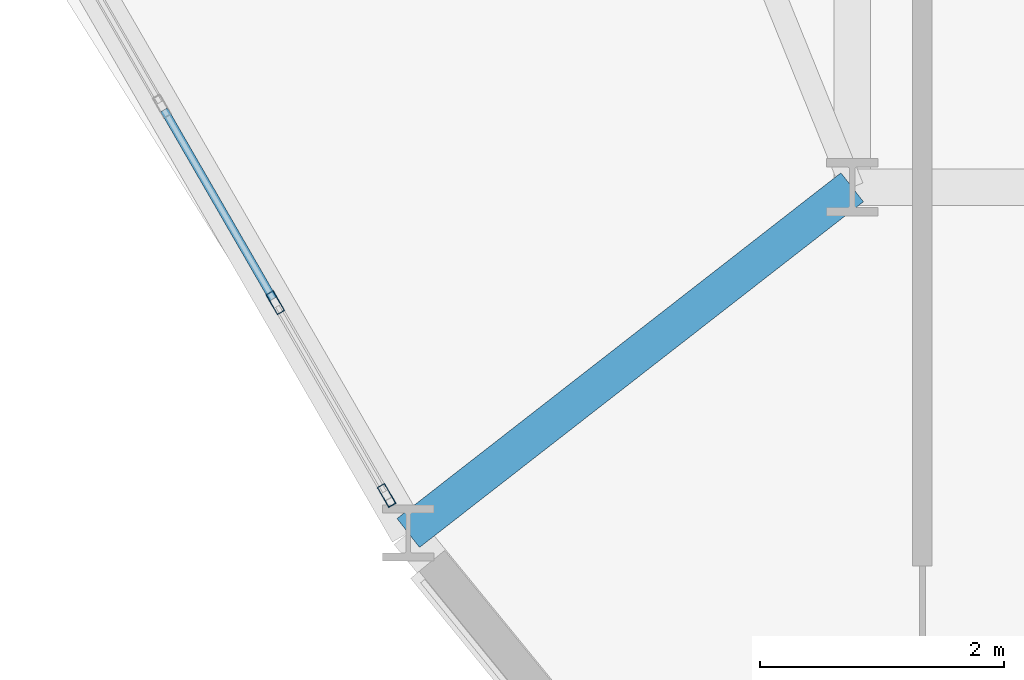
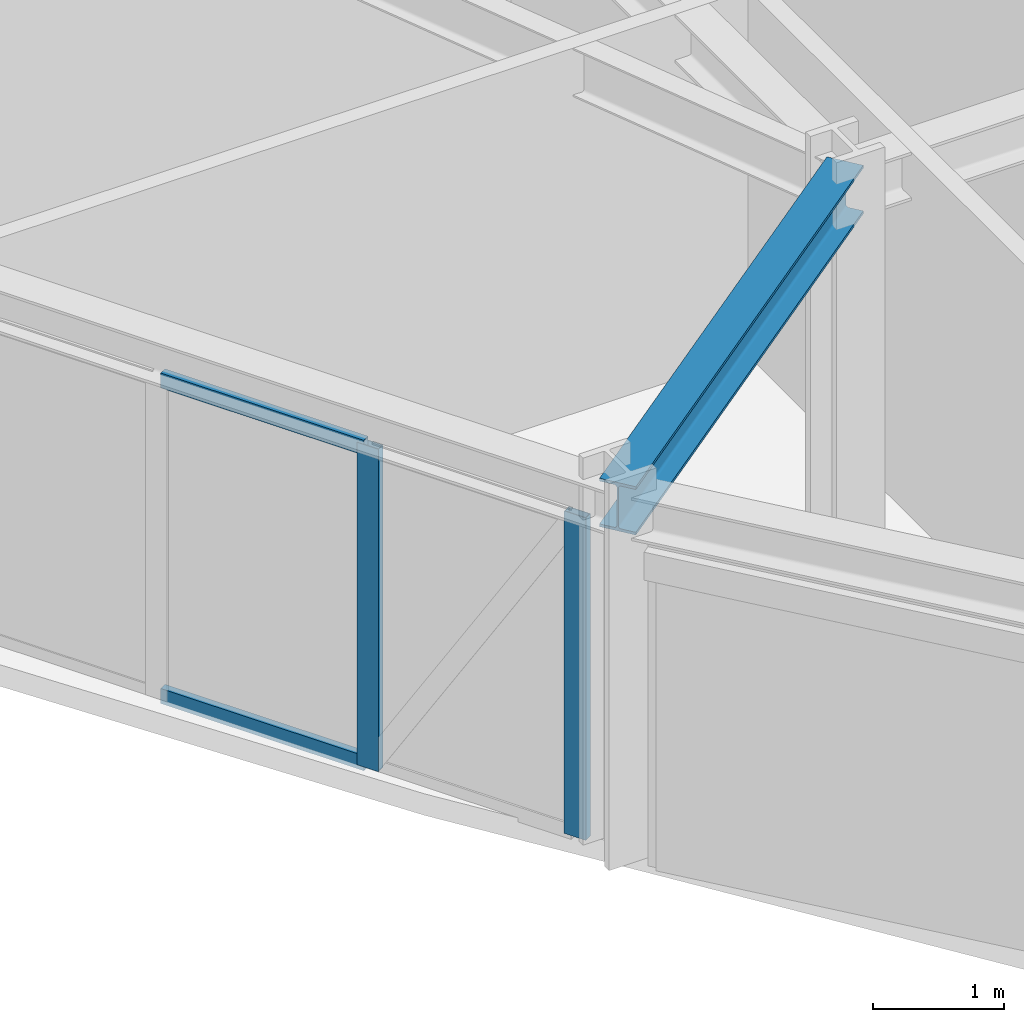
# One storey, part 2 of 17: 4 members, 1 beam, 1 element without a shape of its own.
"""IFC4 building model written with IfcOpenShell, lengths in metres."""

from ifc_helpers import new_model, si_unit, derived_unit, direction, frame, origin, origin_2d, place, context, subcontext, project, spatial, hollow_rectangle, i_section, extrude, source, transform, mapped, material, layer, layer_set, material_profile, profile_set, type_object, element, aggregate, save


model = new_model("IFC4")

# Units and contexts
model_context = context("Model", 3, precision=1e-05, world=origin(), true_north=direction((0.0, 1.0)))
body_context = subcontext(model_context, "Body", "Model", "MODEL_VIEW")
ifc_project = project(units=[si_unit("LENGTHUNIT", "METRE"), si_unit("AREAUNIT", "SQUARE_METRE"), si_unit("VOLUMEUNIT", "CUBIC_METRE"), si_unit("PLANEANGLEUNIT", "RADIAN"), si_unit("MASSUNIT", "GRAM", prefix="KILO"), derived_unit("THERMALTRANSMITTANCEUNIT", [(si_unit("POWERUNIT", "WATT"), 1), (si_unit("LENGTHUNIT", "METRE"), -2), (si_unit("THERMODYNAMICTEMPERATUREUNIT", "KELVIN"), -1)])], contexts=[model_context])

# Site, building, storey
site_placement = place(None, origin())
site = spatial("IfcSite", under=ifc_project, at=site_placement, CompositionType="ELEMENT")
building_placement = place(site_placement, origin())
building = spatial("IfcBuilding", under=site, at=building_placement, Name="Korsvarv Bourse and Concert Hall", CompositionType="ELEMENT")
storey_placement = place(building_placement, frame((0.0, 0.0, 124.199951171875)))
storey = spatial("IfcBuildingStorey", under=building, at=storey_placement, Name="L31", CompositionType="ELEMENT", Elevation=124.199951171875)

# Beam
ifc_material_1 = material(Name="Steel S355", Category="steel")
ifc_material_profile_1 = material_profile(ifc_material_1, i_section(OverallWidth=0.300048828125, OverallDepth=0.449951171875, WebThickness=0.013916015625, FlangeThickness=0.02587890625, FilletRadius=0.02099609375, at=origin_2d()), Name="HEB 450")
ifc_profile_set_1 = profile_set([ifc_material_profile_1], Name="Steel S355")
beam_type = type_object("IfcBeamType", Name="BM-HEB450", PredefinedType="SPANDREL", material=ifc_profile_set_1)
shared_shape_1 = source(origin(), body_context, "Body", "SweptSolid", [
    extrude(i_section(OverallWidth=0.300048828125, OverallDepth=0.449951171875, WebThickness=0.013916015625, FlangeThickness=0.02587890625, FilletRadius=0.02099609375, at=origin_2d()), origin(), (0.0, 0.0, 1.0), 4.610595703125),
])
beam_placement = place(storey_placement, frame((23.96240234375, 21.167236328125, 3.175048828125), z_axis=(0.788989967488, 0.614406080051, 0.0), x_axis=(-0.614406080051, 0.788989967488, 0.0)))
element("IfcBeam", 1, at=beam_placement, inside=storey, type_object=beam_type, Name="L31 beam B-08", PredefinedType="SPANDREL", context=body_context, shape_type="MappedRepresentation", body=[
    mapped(shared_shape_1, transform((0.0, 0.0, 0.0), scale=1.0)),
])

# Curtain wall, members
ifc_material_2 = material(Name="Anodised aluminium and triple low-E glazing", Category="glass")
ifc_layer = layer(ifc_material_2, 0.2099609375)
ifc_layer_set = layer_set([ifc_layer], Name="Anodised aluminium and triple low-E glazing")
curtain_wall_type = type_object("IfcCurtainWallType", Name="CW-SYS-2", PredefinedType="NOTDEFINED", material=ifc_layer_set)
curtain_wall_placement = place(storey_placement, origin())
curtain_wall = element("IfcCurtainWall", 2, at=curtain_wall_placement, inside=storey, type_object=curtain_wall_type, Name="L31 CW2 curtain wall CW-L31-F07", PredefinedType="NOTDEFINED")
ifc_material_3 = material(Name="Extruded aluminium EN AW-6063 T66", Category="aluminium")
ifc_material_profile_2 = material_profile(ifc_material_3, hollow_rectangle(XDim=0.070068359375, YDim=0.18994140625, WallThickness=0.0048828125, at=origin_2d()), Name="ALU-M 70x190")
ifc_profile_set_2 = profile_set([ifc_material_profile_2], Name="Extruded aluminium EN AW-6063 T66")
member_type_1 = type_object("IfcMemberType", Name="CWM-190", PredefinedType="MULLION", material=ifc_profile_set_2)
shared_shape_2 = source(origin(), body_context, "Body", "SweptSolid", [
    extrude(hollow_rectangle(XDim=0.070068359375, YDim=0.18994140625, WallThickness=0.0048828125, at=origin_2d()), origin(), (0.0, 0.0, 1.0), 3.0),
])
member_1_placement = place(storey_placement, frame((22.872802734375, 23.0546875, 0.0), z_axis=(0.0, 0.0, 1.0), x_axis=(0.866021265954, 0.500007166863, 0.0)))
member_1 = element("IfcMember", 3, at=member_1_placement, type_object=member_type_1, Name="CW2 mullion 7", PredefinedType="MULLION", context=body_context, shape_type="MappedRepresentation", body=[
    mapped(shared_shape_2, transform((0.0, 0.0, 0.0), scale=1.0)),
])
member_2_placement = place(storey_placement, frame((23.784912109375, 21.47509765625, 0.0), z_axis=(0.0, 0.0, 1.0), x_axis=(0.866021265954, 0.500007166863, 0.0)))
member_2 = element("IfcMember", 4, at=member_2_placement, type_object=member_type_1, Name="CW2 mullion 8", PredefinedType="MULLION", context=body_context, shape_type="MappedRepresentation", body=[
    mapped(shared_shape_2, transform((0.0, 0.0, 0.0), scale=1.0)),
])
ifc_material_profile_3 = material_profile(ifc_material_3, hollow_rectangle(XDim=0.06494140625, YDim=0.139892578125, WallThickness=0.00390625, at=origin_2d()), Name="ALU-T 65x140")
ifc_profile_set_3 = profile_set([ifc_material_profile_3], Name="Extruded aluminium EN AW-6063 T66")
member_type_2 = type_object("IfcMemberType", Name="CWT-140", PredefinedType="USERDEFINED", material=ifc_profile_set_3)
shared_shape_3 = source(origin(), body_context, "Body", "SweptSolid", [
    extrude(hollow_rectangle(XDim=0.06494140625, YDim=0.139892578125, WallThickness=0.00390625, at=origin_2d()), origin(), (0.0, 0.0, 1.0), 1.788818359375),
])
member_3_placement = place(storey_placement, frame((21.9609375, 24.63427734375, 0.032470703125), z_axis=(0.499911478227, -0.866076505822, 0.0), x_axis=(0.866076505822, 0.499911478227, 0.0)))
member_3 = element("IfcMember", 5, at=member_3_placement, type_object=member_type_2, Name="CW2 transom 6.1", ObjectType="TRANSOM", PredefinedType="USERDEFINED", context=body_context, shape_type="MappedRepresentation", body=[
    mapped(shared_shape_3, transform((0.0, 0.0, 0.0), scale=1.0)),
])
member_4_placement = place(storey_placement, frame((21.9609375, 24.63427734375, 2.967529296875), z_axis=(0.499911478227, -0.866076505822, 0.0), x_axis=(0.866076505822, 0.499911478227, 0.0)))
member_4 = element("IfcMember", 6, at=member_4_placement, type_object=member_type_2, Name="CW2 transom 6.2", ObjectType="TRANSOM", PredefinedType="USERDEFINED", context=body_context, shape_type="MappedRepresentation", body=[
    mapped(shared_shape_3, transform((0.0, 0.0, 0.0), scale=1.0)),
])
aggregate(curtain_wall, [member_1, member_2, member_3, member_4])

save(model, "model.ifc")
